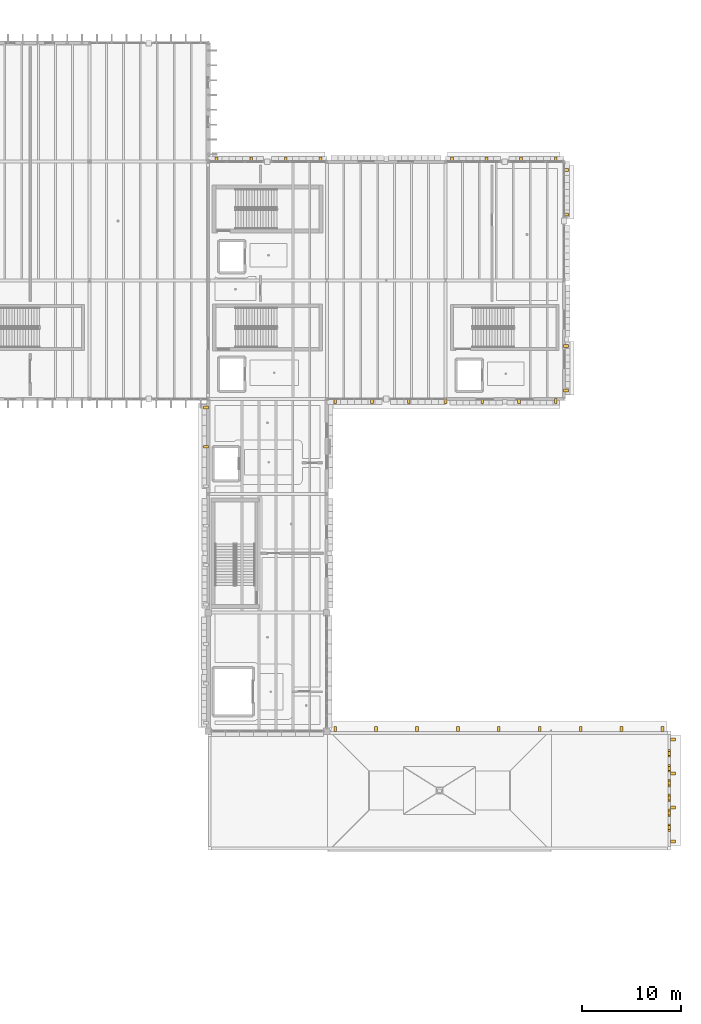
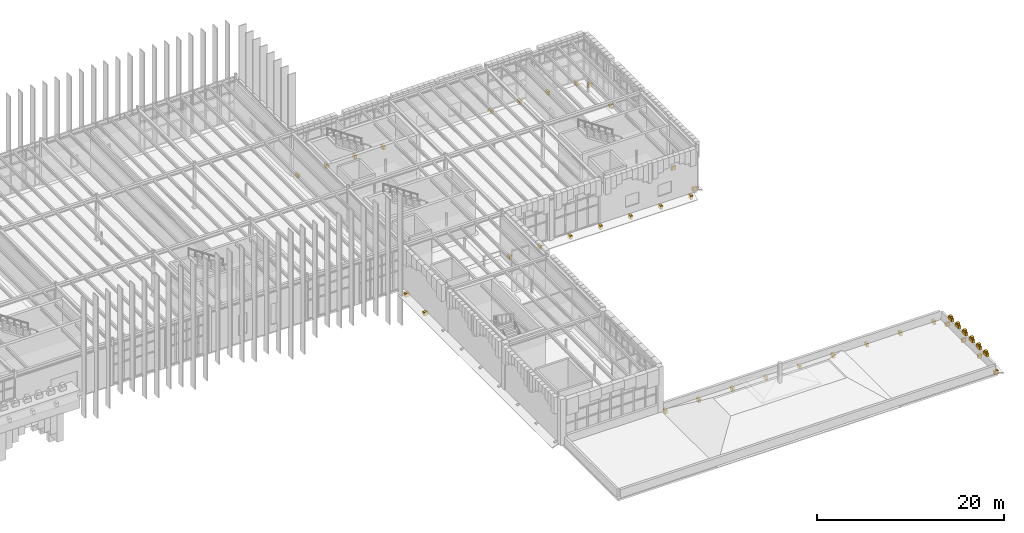
# One storey, part 83 of 83: 46 coverings.
"""IFC4 building model written with IfcOpenShell, lengths in metres."""

from ifc_helpers import new_model, si_unit, direction, frame, origin, place, context, subcontext, project, spatial, polyline, outline, extrude, material, layer, layer_set, type_object, element, save


model = new_model("IFC4")

# Units and contexts
model_context = context("Model", 3, precision=1e-05, world=origin(), true_north=direction((0.0, 1.0)))
body_context = subcontext(model_context, "Body", "Model", "MODEL_VIEW")
ifc_project = project(units=[si_unit("LENGTHUNIT", "METRE"), si_unit("AREAUNIT", "SQUARE_METRE"), si_unit("VOLUMEUNIT", "CUBIC_METRE"), si_unit("PLANEANGLEUNIT", "RADIAN"), si_unit("MASSUNIT", "GRAM", prefix="KILO")], contexts=[model_context])

# Site, building, storey
site_placement = place(None, origin())
site = spatial("IfcSite", under=ifc_project, at=site_placement, CompositionType="ELEMENT")
building_placement = place(site_placement, origin())
building = spatial("IfcBuilding", under=site, at=building_placement, Name="Zlatogorsky Bluff Art Gallery", CompositionType="ELEMENT")
storey_placement = place(building_placement, frame((0.0, 0.0, 10.800048828125)))
storey = spatial("IfcBuildingStorey", under=building, at=storey_placement, Name="L02", CompositionType="ELEMENT", Elevation=10.800048828125)

# Coverings
ifc_material = material(Name="Honed Red Agra-Tone Quartzitic Sandstone", Category="masonry")
ifc_layer = layer(ifc_material, 0.1201171875)
ifc_layer_set = layer_set([ifc_layer], Name="Carved Sandstone Cladding CLD-02")
covering_type = type_object("IfcCoveringType", Name="Carved Sandstone Cladding CLD-02", PredefinedType="CLADDING", material=ifc_layer_set)
covering_1_placement = place(storey_placement, frame((0.0, 0.0, -0.60009765625)))
element("IfcCovering", 1, at=covering_1_placement, inside=storey, type_object=covering_type, Name="Chhajja carved stone corbel CHJ-NE-N-L02A.1", PredefinedType="CLADDING", context=body_context, shape_type="SweptSolid", body=[
    extrude(outline(polyline([(120.7099609375, 107.9599609375), (120.989990234375, 107.9599609375), (120.989990234375, 108.4599609375), (120.7099609375, 108.4599609375), (120.7099609375, 107.9599609375)])), origin(), (0.0, 0.0, 1.0), 0.47998046875),
])
covering_2_placement = place(storey_placement, frame((0.0, 0.0, -0.60009765625)))
element("IfcCovering", 2, at=covering_2_placement, inside=storey, type_object=covering_type, Name="Chhajja carved stone corbel CHJ-NE-N-L02A.2", PredefinedType="CLADDING", context=body_context, shape_type="SweptSolid", body=[
    extrude(outline(polyline([(124.2099609375, 107.9599609375), (124.489990234375, 107.9599609375), (124.489990234375, 108.4599609375), (124.2099609375, 108.4599609375), (124.2099609375, 107.9599609375)])), origin(), (0.0, 0.0, 1.0), 0.47998046875),
])
covering_3_placement = place(storey_placement, frame((0.0, 0.0, -0.60009765625)))
element("IfcCovering", 3, at=covering_3_placement, inside=storey, type_object=covering_type, Name="Chhajja carved stone corbel CHJ-NE-N-L02A.3", PredefinedType="CLADDING", context=body_context, shape_type="SweptSolid", body=[
    extrude(outline(polyline([(127.7099609375, 107.9599609375), (127.989990234375, 107.9599609375), (127.989990234375, 108.4599609375), (127.7099609375, 108.4599609375), (127.7099609375, 107.9599609375)])), origin(), (0.0, 0.0, 1.0), 0.47998046875),
])
covering_4_placement = place(storey_placement, frame((0.0, 0.0, -0.60009765625)))
element("IfcCovering", 4, at=covering_4_placement, inside=storey, type_object=covering_type, Name="Chhajja carved stone corbel CHJ-NE-N-L02A.4", PredefinedType="CLADDING", context=body_context, shape_type="SweptSolid", body=[
    extrude(outline(polyline([(131.2099609375, 107.9599609375), (131.489990234375, 107.9599609375), (131.489990234375, 108.4599609375), (131.2099609375, 108.4599609375), (131.2099609375, 107.9599609375)])), origin(), (0.0, 0.0, 1.0), 0.47998046875),
])
covering_5_placement = place(storey_placement, frame((0.0, 0.0, -0.60009765625)))
element("IfcCovering", 5, at=covering_5_placement, inside=storey, type_object=covering_type, Name="Chhajja carved stone corbel CHJ-NE-N-L02B.1", PredefinedType="CLADDING", context=body_context, shape_type="SweptSolid", body=[
    extrude(outline(polyline([(144.510009765625, 107.9599609375), (144.7900390625, 107.9599609375), (144.7900390625, 108.4599609375), (144.510009765625, 108.4599609375), (144.510009765625, 107.9599609375)])), origin(), (0.0, 0.0, 1.0), 0.47998046875),
])
covering_6_placement = place(storey_placement, frame((0.0, 0.0, -0.60009765625)))
element("IfcCovering", 6, at=covering_6_placement, inside=storey, type_object=covering_type, Name="Chhajja carved stone corbel CHJ-NE-N-L02B.2", PredefinedType="CLADDING", context=body_context, shape_type="SweptSolid", body=[
    extrude(outline(polyline([(148.010009765625, 107.9599609375), (148.2900390625, 107.9599609375), (148.2900390625, 108.4599609375), (148.010009765625, 108.4599609375), (148.010009765625, 107.9599609375)])), origin(), (0.0, 0.0, 1.0), 0.47998046875),
])
covering_7_placement = place(storey_placement, frame((0.0, 0.0, -0.60009765625)))
element("IfcCovering", 7, at=covering_7_placement, inside=storey, type_object=covering_type, Name="Chhajja carved stone corbel CHJ-NE-N-L02B.3", PredefinedType="CLADDING", context=body_context, shape_type="SweptSolid", body=[
    extrude(outline(polyline([(151.510009765625, 107.9599609375), (151.7900390625, 107.9599609375), (151.7900390625, 108.4599609375), (151.510009765625, 108.4599609375), (151.510009765625, 107.9599609375)])), origin(), (0.0, 0.0, 1.0), 0.47998046875),
])
covering_8_placement = place(storey_placement, frame((0.0, 0.0, -0.60009765625)))
element("IfcCovering", 8, at=covering_8_placement, inside=storey, type_object=covering_type, Name="Chhajja carved stone corbel CHJ-NE-N-L02B.4", PredefinedType="CLADDING", context=body_context, shape_type="SweptSolid", body=[
    extrude(outline(polyline([(155.010009765625, 107.9599609375), (155.2900390625, 107.9599609375), (155.2900390625, 108.4599609375), (155.010009765625, 108.4599609375), (155.010009765625, 107.9599609375)])), origin(), (0.0, 0.0, 1.0), 0.47998046875),
])
covering_9_placement = place(storey_placement, frame((0.0, 0.0, -0.60009765625)))
element("IfcCovering", 9, at=covering_9_placement, inside=storey, type_object=covering_type, Name="Chhajja carved stone corbel CHJ-NE-E-L02A.1", PredefinedType="CLADDING", context=body_context, shape_type="SweptSolid", body=[
    extrude(outline(polyline([(155.9599609375, 84.7099609375), (155.9599609375, 84.989990234375), (156.4599609375, 84.989990234375), (156.4599609375, 84.7099609375), (155.9599609375, 84.7099609375)])), origin(), (0.0, 0.0, 1.0), 0.47998046875),
])
covering_10_placement = place(storey_placement, frame((0.0, 0.0, -0.60009765625)))
element("IfcCovering", 10, at=covering_10_placement, inside=storey, type_object=covering_type, Name="Chhajja carved stone corbel CHJ-NE-E-L02A.2", PredefinedType="CLADDING", context=body_context, shape_type="SweptSolid", body=[
    extrude(outline(polyline([(155.9599609375, 89.2099609375), (155.9599609375, 89.489990234375), (156.4599609375, 89.489990234375), (156.4599609375, 89.2099609375), (155.9599609375, 89.2099609375)])), origin(), (0.0, 0.0, 1.0), 0.47998046875),
])
covering_11_placement = place(storey_placement, frame((0.0, 0.0, -0.60009765625)))
element("IfcCovering", 11, at=covering_11_placement, inside=storey, type_object=covering_type, Name="Chhajja carved stone corbel CHJ-NE-E-L02B.1", PredefinedType="CLADDING", context=body_context, shape_type="SweptSolid", body=[
    extrude(outline(polyline([(155.9599609375, 102.510009765625), (155.9599609375, 102.7900390625), (156.4599609375, 102.7900390625), (156.4599609375, 102.510009765625), (155.9599609375, 102.510009765625)])), origin(), (0.0, 0.0, 1.0), 0.47998046875),
])
covering_12_placement = place(storey_placement, frame((0.0, 0.0, -0.60009765625)))
element("IfcCovering", 12, at=covering_12_placement, inside=storey, type_object=covering_type, Name="Chhajja carved stone corbel CHJ-NE-E-L02B.2", PredefinedType="CLADDING", context=body_context, shape_type="SweptSolid", body=[
    extrude(outline(polyline([(155.9599609375, 107.010009765625), (155.9599609375, 107.2900390625), (156.4599609375, 107.2900390625), (156.4599609375, 107.010009765625), (155.9599609375, 107.010009765625)])), origin(), (0.0, 0.0, 1.0), 0.47998046875),
])
covering_13_placement = place(storey_placement, frame((0.0, 0.0, -0.60009765625)))
element("IfcCovering", 13, at=covering_13_placement, inside=storey, type_object=covering_type, Name="Chhajja carved stone corbel CHJ-NE-S-L02.1", PredefinedType="CLADDING", context=body_context, shape_type="SweptSolid", body=[
    extrude(outline(polyline([(132.7099609375, 83.5400390625), (132.989990234375, 83.5400390625), (132.989990234375, 84.0400390625), (132.7099609375, 84.0400390625), (132.7099609375, 83.5400390625)])), origin(), (0.0, 0.0, 1.0), 0.47998046875),
])
covering_14_placement = place(storey_placement, frame((0.0, 0.0, -0.60009765625)))
element("IfcCovering", 14, at=covering_14_placement, inside=storey, type_object=covering_type, Name="Chhajja carved stone corbel CHJ-NE-S-L02.2", PredefinedType="CLADDING", context=body_context, shape_type="SweptSolid", body=[
    extrude(outline(polyline([(136.4267578125, 83.5400390625), (136.706787109375, 83.5400390625), (136.706787109375, 84.0400390625), (136.4267578125, 84.0400390625), (136.4267578125, 83.5400390625)])), origin(), (0.0, 0.0, 1.0), 0.47998046875),
])
covering_15_placement = place(storey_placement, frame((0.0, 0.0, -0.60009765625)))
element("IfcCovering", 15, at=covering_15_placement, inside=storey, type_object=covering_type, Name="Chhajja carved stone corbel CHJ-NE-S-L02.3", PredefinedType="CLADDING", context=body_context, shape_type="SweptSolid", body=[
    extrude(outline(polyline([(140.143310546875, 83.5400390625), (140.42333984375, 83.5400390625), (140.42333984375, 84.0400390625), (140.143310546875, 84.0400390625), (140.143310546875, 83.5400390625)])), origin(), (0.0, 0.0, 1.0), 0.47998046875),
])
covering_16_placement = place(storey_placement, frame((0.0, 0.0, -0.60009765625)))
element("IfcCovering", 16, at=covering_16_placement, inside=storey, type_object=covering_type, Name="Chhajja carved stone corbel CHJ-NE-S-L02.4", PredefinedType="CLADDING", context=body_context, shape_type="SweptSolid", body=[
    extrude(outline(polyline([(143.860107421875, 83.5400390625), (144.139892578125, 83.5400390625), (144.139892578125, 84.0400390625), (143.860107421875, 84.0400390625), (143.860107421875, 83.5400390625)])), origin(), (0.0, 0.0, 1.0), 0.47998046875),
])
covering_17_placement = place(storey_placement, frame((0.0, 0.0, -0.60009765625)))
element("IfcCovering", 17, at=covering_17_placement, inside=storey, type_object=covering_type, Name="Chhajja carved stone corbel CHJ-NE-S-L02.5", PredefinedType="CLADDING", context=body_context, shape_type="SweptSolid", body=[
    extrude(outline(polyline([(147.57666015625, 83.5400390625), (147.856689453125, 83.5400390625), (147.856689453125, 84.0400390625), (147.57666015625, 84.0400390625), (147.57666015625, 83.5400390625)])), origin(), (0.0, 0.0, 1.0), 0.47998046875),
])
covering_18_placement = place(storey_placement, frame((0.0, 0.0, -0.60009765625)))
element("IfcCovering", 18, at=covering_18_placement, inside=storey, type_object=covering_type, Name="Chhajja carved stone corbel CHJ-NE-S-L02.6", PredefinedType="CLADDING", context=body_context, shape_type="SweptSolid", body=[
    extrude(outline(polyline([(151.293212890625, 83.5400390625), (151.5732421875, 83.5400390625), (151.5732421875, 84.0400390625), (151.293212890625, 84.0400390625), (151.293212890625, 83.5400390625)])), origin(), (0.0, 0.0, 1.0), 0.47998046875),
])
covering_19_placement = place(storey_placement, frame((0.0, 0.0, -0.60009765625)))
element("IfcCovering", 19, at=covering_19_placement, inside=storey, type_object=covering_type, Name="Chhajja carved stone corbel CHJ-NE-S-L02.7", PredefinedType="CLADDING", context=body_context, shape_type="SweptSolid", body=[
    extrude(outline(polyline([(155.010009765625, 83.5400390625), (155.2900390625, 83.5400390625), (155.2900390625, 84.0400390625), (155.010009765625, 84.0400390625), (155.010009765625, 83.5400390625)])), origin(), (0.0, 0.0, 1.0), 0.47998046875),
])
covering_20_placement = place(storey_placement, frame((0.0, 0.0, -0.60009765625)))
element("IfcCovering", 20, at=covering_20_placement, inside=storey, type_object=covering_type, Name="Chhajja carved stone corbel CHJ-EAST-E-L02.1", PredefinedType="CLADDING", context=body_context, shape_type="SweptSolid", body=[
    extrude(outline(polyline([(166.760009765625, 39.110107421875), (166.760009765625, 39.389892578125), (167.260009765625, 39.389892578125), (167.260009765625, 39.110107421875), (166.760009765625, 39.110107421875)])), origin(), (0.0, 0.0, 1.0), 0.47998046875),
])
covering_21_placement = place(storey_placement, frame((0.0, 0.0, -0.60009765625)))
element("IfcCovering", 21, at=covering_21_placement, inside=storey, type_object=covering_type, Name="Chhajja carved stone corbel CHJ-EAST-E-L02.2", PredefinedType="CLADDING", context=body_context, shape_type="SweptSolid", body=[
    extrude(outline(polyline([(166.760009765625, 42.543212890625), (166.760009765625, 42.8232421875), (167.260009765625, 42.8232421875), (167.260009765625, 42.543212890625), (166.760009765625, 42.543212890625)])), origin(), (0.0, 0.0, 1.0), 0.47998046875),
])
covering_22_placement = place(storey_placement, frame((0.0, 0.0, -0.60009765625)))
element("IfcCovering", 22, at=covering_22_placement, inside=storey, type_object=covering_type, Name="Chhajja carved stone corbel CHJ-EAST-E-L02.3", PredefinedType="CLADDING", context=body_context, shape_type="SweptSolid", body=[
    extrude(outline(polyline([(166.760009765625, 45.976806640625), (166.760009765625, 46.256591796875), (167.260009765625, 46.256591796875), (167.260009765625, 45.976806640625), (166.760009765625, 45.976806640625)])), origin(), (0.0, 0.0, 1.0), 0.47998046875),
])
covering_23_placement = place(storey_placement, frame((0.0, 0.0, -0.60009765625)))
element("IfcCovering", 23, at=covering_23_placement, inside=storey, type_object=covering_type, Name="Chhajja carved stone corbel CHJ-EAST-E-L02.4", PredefinedType="CLADDING", context=body_context, shape_type="SweptSolid", body=[
    extrude(outline(polyline([(166.760009765625, 49.409912109375), (166.760009765625, 49.68994140625), (167.260009765625, 49.68994140625), (167.260009765625, 49.409912109375), (166.760009765625, 49.409912109375)])), origin(), (0.0, 0.0, 1.0), 0.47998046875),
])
covering_24_placement = place(storey_placement, frame((0.0, 0.0, -0.60009765625)))
element("IfcCovering", 24, at=covering_24_placement, inside=storey, type_object=covering_type, Name="Chhajja carved stone corbel CHJ-EAST-N-L02.1", PredefinedType="CLADDING", context=body_context, shape_type="SweptSolid", body=[
    extrude(outline(polyline([(132.7099609375, 50.360107421875), (132.989990234375, 50.360107421875), (132.989990234375, 50.860107421875), (132.7099609375, 50.860107421875), (132.7099609375, 50.360107421875)])), origin(), (0.0, 0.0, 1.0), 0.47998046875),
])
covering_25_placement = place(storey_placement, frame((0.0, 0.0, -0.60009765625)))
element("IfcCovering", 25, at=covering_25_placement, inside=storey, type_object=covering_type, Name="Chhajja carved stone corbel CHJ-EAST-N-L02.2", PredefinedType="CLADDING", context=body_context, shape_type="SweptSolid", body=[
    extrude(outline(polyline([(136.847412109375, 50.360107421875), (137.12744140625, 50.360107421875), (137.12744140625, 50.860107421875), (136.847412109375, 50.860107421875), (136.847412109375, 50.360107421875)])), origin(), (0.0, 0.0, 1.0), 0.47998046875),
])
covering_26_placement = place(storey_placement, frame((0.0, 0.0, -0.60009765625)))
element("IfcCovering", 26, at=covering_26_placement, inside=storey, type_object=covering_type, Name="Chhajja carved stone corbel CHJ-EAST-N-L02.3", PredefinedType="CLADDING", context=body_context, shape_type="SweptSolid", body=[
    extrude(outline(polyline([(140.985107421875, 50.360107421875), (141.264892578125, 50.360107421875), (141.264892578125, 50.860107421875), (140.985107421875, 50.860107421875), (140.985107421875, 50.360107421875)])), origin(), (0.0, 0.0, 1.0), 0.47998046875),
])
covering_27_placement = place(storey_placement, frame((0.0, 0.0, -0.60009765625)))
element("IfcCovering", 27, at=covering_27_placement, inside=storey, type_object=covering_type, Name="Chhajja carved stone corbel CHJ-EAST-N-L02.4", PredefinedType="CLADDING", context=body_context, shape_type="SweptSolid", body=[
    extrude(outline(polyline([(145.12255859375, 50.360107421875), (145.402587890625, 50.360107421875), (145.402587890625, 50.860107421875), (145.12255859375, 50.860107421875), (145.12255859375, 50.360107421875)])), origin(), (0.0, 0.0, 1.0), 0.47998046875),
])
covering_28_placement = place(storey_placement, frame((0.0, 0.0, -0.60009765625)))
element("IfcCovering", 28, at=covering_28_placement, inside=storey, type_object=covering_type, Name="Chhajja carved stone corbel CHJ-EAST-N-L02.5", PredefinedType="CLADDING", context=body_context, shape_type="SweptSolid", body=[
    extrude(outline(polyline([(149.260009765625, 50.360107421875), (149.5400390625, 50.360107421875), (149.5400390625, 50.860107421875), (149.260009765625, 50.860107421875), (149.260009765625, 50.360107421875)])), origin(), (0.0, 0.0, 1.0), 0.47998046875),
])
covering_29_placement = place(storey_placement, frame((0.0, 0.0, -0.60009765625)))
element("IfcCovering", 29, at=covering_29_placement, inside=storey, type_object=covering_type, Name="Chhajja carved stone corbel CHJ-EAST-N-L02.6", PredefinedType="CLADDING", context=body_context, shape_type="SweptSolid", body=[
    extrude(outline(polyline([(153.3974609375, 50.360107421875), (153.677490234375, 50.360107421875), (153.677490234375, 50.860107421875), (153.3974609375, 50.860107421875), (153.3974609375, 50.360107421875)])), origin(), (0.0, 0.0, 1.0), 0.47998046875),
])
covering_30_placement = place(storey_placement, frame((0.0, 0.0, -0.60009765625)))
element("IfcCovering", 30, at=covering_30_placement, inside=storey, type_object=covering_type, Name="Chhajja carved stone corbel CHJ-EAST-N-L02.7", PredefinedType="CLADDING", context=body_context, shape_type="SweptSolid", body=[
    extrude(outline(polyline([(157.534912109375, 50.360107421875), (157.81494140625, 50.360107421875), (157.81494140625, 50.860107421875), (157.534912109375, 50.860107421875), (157.534912109375, 50.360107421875)])), origin(), (0.0, 0.0, 1.0), 0.47998046875),
])
covering_31_placement = place(storey_placement, frame((0.0, 0.0, -0.60009765625)))
element("IfcCovering", 31, at=covering_31_placement, inside=storey, type_object=covering_type, Name="Chhajja carved stone corbel CHJ-EAST-N-L02.8", PredefinedType="CLADDING", context=body_context, shape_type="SweptSolid", body=[
    extrude(outline(polyline([(161.672607421875, 50.360107421875), (161.952392578125, 50.360107421875), (161.952392578125, 50.860107421875), (161.672607421875, 50.860107421875), (161.672607421875, 50.360107421875)])), origin(), (0.0, 0.0, 1.0), 0.47998046875),
])
covering_32_placement = place(storey_placement, frame((0.0, 0.0, -0.60009765625)))
element("IfcCovering", 32, at=covering_32_placement, inside=storey, type_object=covering_type, Name="Chhajja carved stone corbel CHJ-EAST-N-L02.9", PredefinedType="CLADDING", context=body_context, shape_type="SweptSolid", body=[
    extrude(outline(polyline([(165.81005859375, 50.360107421875), (166.090087890625, 50.360107421875), (166.090087890625, 50.860107421875), (165.81005859375, 50.860107421875), (165.81005859375, 50.360107421875)])), origin(), (0.0, 0.0, 1.0), 0.47998046875),
])
covering_33_placement = place(storey_placement, frame((0.0, 0.0, -0.60009765625)))
element("IfcCovering", 33, at=covering_33_placement, inside=storey, type_object=covering_type, Name="Chhajja carved stone corbel CHJ-LINK-W-L02.8", PredefinedType="CLADDING", context=body_context, shape_type="SweptSolid", body=[
    extrude(outline(polyline([(119.5400390625, 79.0224609375), (119.5400390625, 79.302490234375), (120.0400390625, 79.302490234375), (120.0400390625, 79.0224609375), (119.5400390625, 79.0224609375)])), origin(), (0.0, 0.0, 1.0), 0.47998046875),
])
covering_34_placement = place(storey_placement, frame((0.0, 0.0, -0.60009765625)))
element("IfcCovering", 34, at=covering_34_placement, inside=storey, type_object=covering_type, Name="Chhajja carved stone corbel CHJ-LINK-W-L02.9", PredefinedType="CLADDING", context=body_context, shape_type="SweptSolid", body=[
    extrude(outline(polyline([(119.5400390625, 83.010009765625), (119.5400390625, 83.2900390625), (120.0400390625, 83.2900390625), (120.0400390625, 83.010009765625), (119.5400390625, 83.010009765625)])), origin(), (0.0, 0.0, 1.0), 0.47998046875),
])
covering_35_placement = place(storey_placement, frame((0.0, 0.0, 1.119873046875)))
element("IfcCovering", 35, at=covering_35_placement, inside=storey, type_object=covering_type, Name="Kangura stepped merlon base PAR-RF-L02-02-1.1", PredefinedType="CLADDING", context=body_context, shape_type="SweptSolid", body=[
    extrude(outline(polyline([(166.5, 40.27001953125), (166.5, 41.030029296875), (166.780029296875, 41.030029296875), (166.780029296875, 40.27001953125), (166.5, 40.27001953125)])), origin(), (0.0, 0.0, 1.0), 0.3896484375),
])
covering_36_placement = place(storey_placement, frame((0.0, 0.0, 1.4921875)))
element("IfcCovering", 36, at=covering_36_placement, inside=storey, type_object=covering_type, Name="Kangura pointed merlon finial PAR-RF-L02-02-1.1", PredefinedType="CLADDING", context=body_context, shape_type="SweptSolid", body=[
    extrude(outline(polyline([(166.5, 40.452392578125), (166.5, 40.84765625), (166.780029296875, 40.84765625), (166.780029296875, 40.452392578125), (166.5, 40.452392578125)])), origin(), (0.0, 0.0, 1.0), 0.23779296875),
])
covering_37_placement = place(storey_placement, frame((0.0, 0.0, 1.119873046875)))
element("IfcCovering", 37, at=covering_37_placement, inside=storey, type_object=covering_type, Name="Kangura stepped merlon base PAR-RF-L02-02-1.2", PredefinedType="CLADDING", context=body_context, shape_type="SweptSolid", body=[
    extrude(outline(polyline([(166.5, 41.77001953125), (166.5, 42.530029296875), (166.780029296875, 42.530029296875), (166.780029296875, 41.77001953125), (166.5, 41.77001953125)])), origin(), (0.0, 0.0, 1.0), 0.3896484375),
])
covering_38_placement = place(storey_placement, frame((0.0, 0.0, 1.4921875)))
element("IfcCovering", 38, at=covering_38_placement, inside=storey, type_object=covering_type, Name="Kangura pointed merlon finial PAR-RF-L02-02-1.2", PredefinedType="CLADDING", context=body_context, shape_type="SweptSolid", body=[
    extrude(outline(polyline([(166.5, 41.952392578125), (166.5, 42.34765625), (166.780029296875, 42.34765625), (166.780029296875, 41.952392578125), (166.5, 41.952392578125)])), origin(), (0.0, 0.0, 1.0), 0.23779296875),
])
covering_39_placement = place(storey_placement, frame((0.0, 0.0, 1.119873046875)))
element("IfcCovering", 39, at=covering_39_placement, inside=storey, type_object=covering_type, Name="Kangura stepped merlon base PAR-RF-L02-02-1.3", PredefinedType="CLADDING", context=body_context, shape_type="SweptSolid", body=[
    extrude(outline(polyline([(166.5, 43.27001953125), (166.5, 44.030029296875), (166.780029296875, 44.030029296875), (166.780029296875, 43.27001953125), (166.5, 43.27001953125)])), origin(), (0.0, 0.0, 1.0), 0.3896484375),
])
covering_40_placement = place(storey_placement, frame((0.0, 0.0, 1.4921875)))
element("IfcCovering", 40, at=covering_40_placement, inside=storey, type_object=covering_type, Name="Kangura pointed merlon finial PAR-RF-L02-02-1.3", PredefinedType="CLADDING", context=body_context, shape_type="SweptSolid", body=[
    extrude(outline(polyline([(166.5, 43.452392578125), (166.5, 43.84765625), (166.780029296875, 43.84765625), (166.780029296875, 43.452392578125), (166.5, 43.452392578125)])), origin(), (0.0, 0.0, 1.0), 0.23779296875),
])
covering_41_placement = place(storey_placement, frame((0.0, 0.0, 1.119873046875)))
element("IfcCovering", 41, at=covering_41_placement, inside=storey, type_object=covering_type, Name="Kangura stepped merlon base PAR-RF-L02-02-1.4", PredefinedType="CLADDING", context=body_context, shape_type="SweptSolid", body=[
    extrude(outline(polyline([(166.5, 44.77001953125), (166.5, 45.530029296875), (166.780029296875, 45.530029296875), (166.780029296875, 44.77001953125), (166.5, 44.77001953125)])), origin(), (0.0, 0.0, 1.0), 0.3896484375),
])
covering_42_placement = place(storey_placement, frame((0.0, 0.0, 1.4921875)))
element("IfcCovering", 42, at=covering_42_placement, inside=storey, type_object=covering_type, Name="Kangura pointed merlon finial PAR-RF-L02-02-1.4", PredefinedType="CLADDING", context=body_context, shape_type="SweptSolid", body=[
    extrude(outline(polyline([(166.5, 44.952392578125), (166.5, 45.34765625), (166.780029296875, 45.34765625), (166.780029296875, 44.952392578125), (166.5, 44.952392578125)])), origin(), (0.0, 0.0, 1.0), 0.23779296875),
])
covering_43_placement = place(storey_placement, frame((0.0, 0.0, 1.119873046875)))
element("IfcCovering", 43, at=covering_43_placement, inside=storey, type_object=covering_type, Name="Kangura stepped merlon base PAR-RF-L02-02-1.5", PredefinedType="CLADDING", context=body_context, shape_type="SweptSolid", body=[
    extrude(outline(polyline([(166.5, 46.27001953125), (166.5, 47.030029296875), (166.780029296875, 47.030029296875), (166.780029296875, 46.27001953125), (166.5, 46.27001953125)])), origin(), (0.0, 0.0, 1.0), 0.3896484375),
])
covering_44_placement = place(storey_placement, frame((0.0, 0.0, 1.4921875)))
element("IfcCovering", 44, at=covering_44_placement, inside=storey, type_object=covering_type, Name="Kangura pointed merlon finial PAR-RF-L02-02-1.5", PredefinedType="CLADDING", context=body_context, shape_type="SweptSolid", body=[
    extrude(outline(polyline([(166.5, 46.452392578125), (166.5, 46.84765625), (166.780029296875, 46.84765625), (166.780029296875, 46.452392578125), (166.5, 46.452392578125)])), origin(), (0.0, 0.0, 1.0), 0.23779296875),
])
covering_45_placement = place(storey_placement, frame((0.0, 0.0, 1.119873046875)))
element("IfcCovering", 45, at=covering_45_placement, inside=storey, type_object=covering_type, Name="Kangura stepped merlon base PAR-RF-L02-02-1.6", PredefinedType="CLADDING", context=body_context, shape_type="SweptSolid", body=[
    extrude(outline(polyline([(166.5, 47.77001953125), (166.5, 48.530029296875), (166.780029296875, 48.530029296875), (166.780029296875, 47.77001953125), (166.5, 47.77001953125)])), origin(), (0.0, 0.0, 1.0), 0.3896484375),
])
covering_46_placement = place(storey_placement, frame((0.0, 0.0, 1.4921875)))
element("IfcCovering", 46, at=covering_46_placement, inside=storey, type_object=covering_type, Name="Kangura pointed merlon finial PAR-RF-L02-02-1.6", PredefinedType="CLADDING", context=body_context, shape_type="SweptSolid", body=[
    extrude(outline(polyline([(166.5, 47.952392578125), (166.5, 48.34765625), (166.780029296875, 48.34765625), (166.780029296875, 47.952392578125), (166.5, 47.952392578125)])), origin(), (0.0, 0.0, 1.0), 0.23779296875),
])

save(model, "model.ifc")
